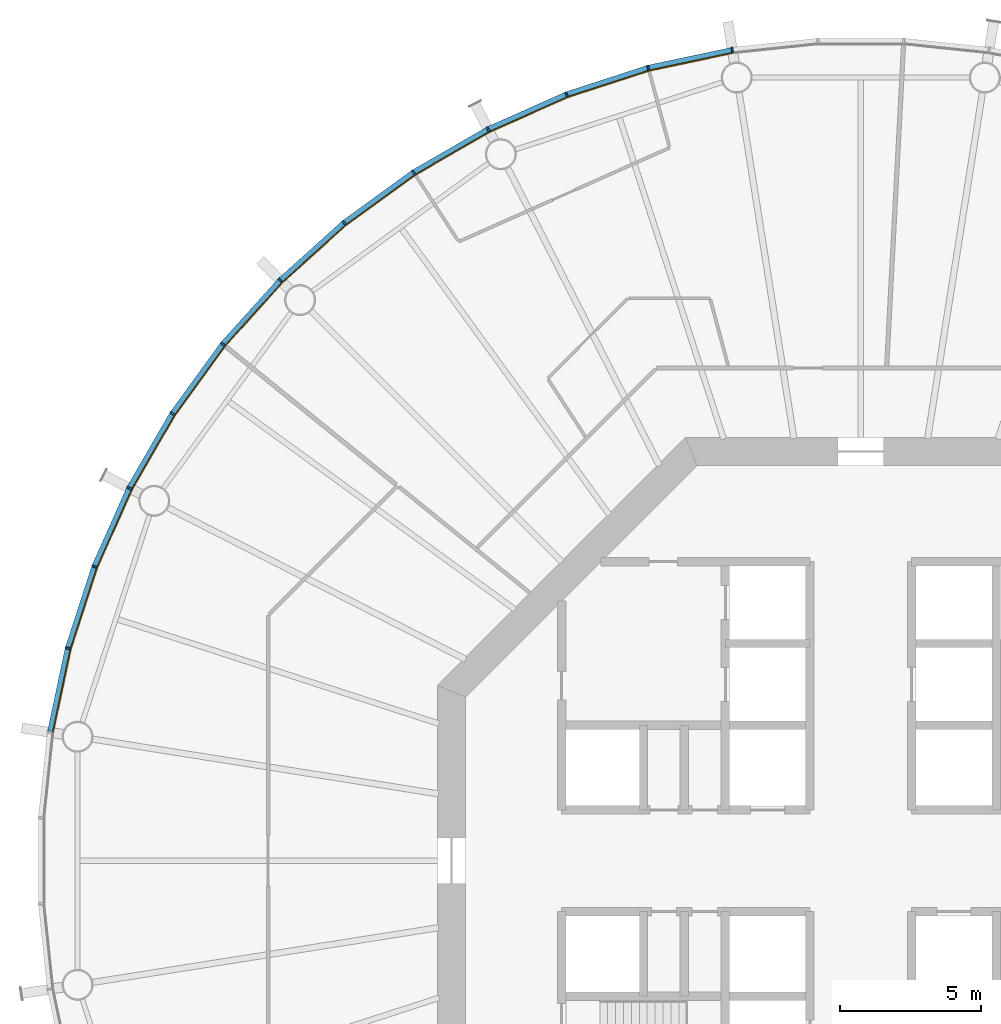
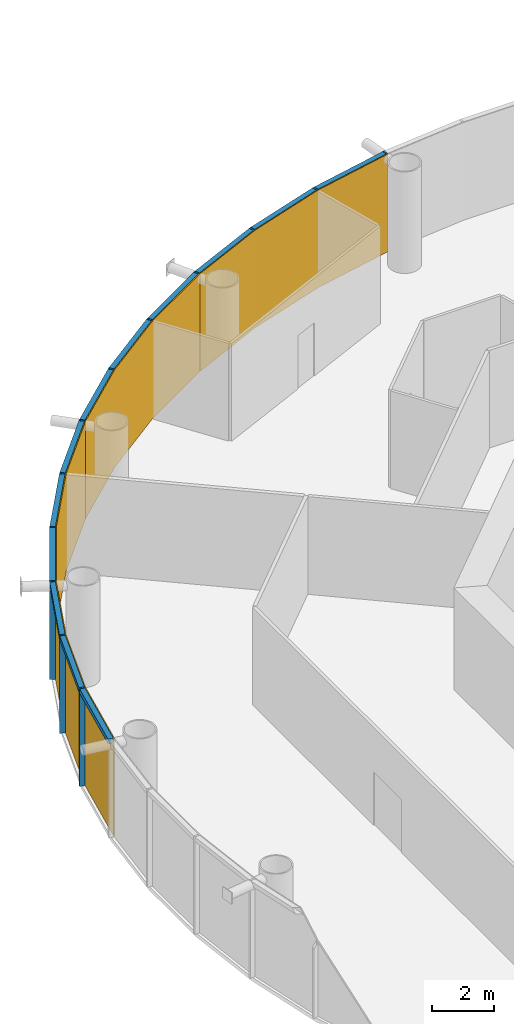
# One storey, part 14 of 17: 24 members, 4 curtain walls.
"""IFC4 building model written with IfcOpenShell, lengths in metres."""

from ifc_helpers import new_model, si_unit, direction, frame, origin, origin_2d, place, context, subcontext, project, spatial, polyline, rectangle, outline, extrude, material, layer, layer_set, material_profile, profile_set, type_object, element, aggregate, save


model = new_model("IFC4")

# Units and contexts
model_context = context("Model", 3, precision=1e-05, world=origin(), true_north=direction((0.0, 1.0)))
body_context = subcontext(model_context, "Body", "Model", "MODEL_VIEW")
ifc_project = project(units=[si_unit("LENGTHUNIT", "METRE"), si_unit("AREAUNIT", "SQUARE_METRE"), si_unit("VOLUMEUNIT", "CUBIC_METRE"), si_unit("PLANEANGLEUNIT", "RADIAN"), si_unit("MASSUNIT", "GRAM", prefix="KILO")], contexts=[model_context])

# Member
ifc_material_1 = material(Name="Anodised aluminium", Category="aluminium")
ifc_material_profile_1 = material_profile(ifc_material_1, rectangle(XDim=0.06494140625, YDim=0.18505859375, at=origin_2d()), Name="Mullion 65 x 185 mm anodised aluminium")
ifc_profile_set_1 = profile_set([ifc_material_profile_1], Name="Anodised aluminium")
member_type_1 = type_object("IfcMemberType", Name="Mullion 65 x 185 mm anodised aluminium", PredefinedType="MULLION", material=ifc_profile_set_1)
site_placement = place(None, origin())
building_placement = place(site_placement, origin())
storey_placement = place(building_placement, frame((0.0, 0.0, 160.0)))
member_1_placement = place(storey_placement, frame((85.448974609375, 108.734375, 0.0), z_axis=(0.0, 0.0, 1.0), x_axis=(-0.987688340595, -0.15643446504, 0.0)))
member_1 = element("IfcMember", 1, at=member_1_placement, type_object=member_type_1, Name="MULLION L36-15", PredefinedType="MULLION", context=body_context, shape_type="SweptSolid", body=[
    extrude(rectangle(XDim=0.06494140625, YDim=0.18505859375, at=origin_2d()), origin(), (0.0, 0.0, 1.0), 3.85009765625),
])

member_2_placement = place(storey_placement, frame((82.47021484375, 108.101318359375, 0.0), z_axis=(0.0, 0.0, 1.0), x_axis=(-0.965925826289, -0.258819045103, 0.0)))
member_2 = element("IfcMember", 2, at=member_2_placement, type_object=member_type_1, Name="MULLION L36-16", PredefinedType="MULLION", context=body_context, shape_type="SweptSolid", body=[
    extrude(rectangle(XDim=0.06494140625, YDim=0.18505859375, at=origin_2d()), origin(), (0.0, 0.0, 1.0), 3.85009765625),
])

member_3_placement = place(storey_placement, frame((79.57421875, 107.16015625, 0.0), z_axis=(0.0, 0.0, 1.0), x_axis=(-0.933580426497, -0.358367949545, 0.0)))
member_3 = element("IfcMember", 3, at=member_3_placement, type_object=member_type_1, Name="MULLION L36-17", PredefinedType="MULLION", context=body_context, shape_type="SweptSolid", body=[
    extrude(rectangle(XDim=0.06494140625, YDim=0.18505859375, at=origin_2d()), origin(), (0.0, 0.0, 1.0), 3.85009765625),
])

member_4_placement = place(storey_placement, frame((76.792236328125, 105.921630859375, 0.0), z_axis=(0.0, 0.0, 1.0), x_axis=(-0.891006524188, -0.45399049974, 0.0)))
member_4 = element("IfcMember", 4, at=member_4_placement, type_object=member_type_1, Name="MULLION L36-18", PredefinedType="MULLION", context=body_context, shape_type="SweptSolid", body=[
    extrude(rectangle(XDim=0.06494140625, YDim=0.18505859375, at=origin_2d()), origin(), (0.0, 0.0, 1.0), 3.85009765625),
])

member_5_placement = place(storey_placement, frame((74.155029296875, 104.39892578125, 0.0), z_axis=(0.0, 0.0, 1.0), x_axis=(-0.838670567945, -0.544639035015, 0.0)))
member_5 = element("IfcMember", 5, at=member_5_placement, type_object=member_type_1, Name="MULLION L36-19", PredefinedType="MULLION", context=body_context, shape_type="SweptSolid", body=[
    extrude(rectangle(XDim=0.06494140625, YDim=0.18505859375, at=origin_2d()), origin(), (0.0, 0.0, 1.0), 3.85009765625),
])

member_6_placement = place(storey_placement, frame((71.69140625, 102.609130859375, 0.0), z_axis=(0.0, 0.0, 1.0), x_axis=(-0.777145961457, -0.62932039105, 0.0)))
member_6 = element("IfcMember", 6, at=member_6_placement, type_object=member_type_1, Name="MULLION L36-20", PredefinedType="MULLION", context=body_context, shape_type="SweptSolid", body=[
    extrude(rectangle(XDim=0.06494140625, YDim=0.18505859375, at=origin_2d()), origin(), (0.0, 0.0, 1.0), 3.85009765625),
])

member_7_placement = place(storey_placement, frame((69.428466796875, 100.571533203125, 0.0), z_axis=(0.0, 0.0, 1.0), x_axis=(-0.707106781187, -0.707106781187, 0.0)))
member_7 = element("IfcMember", 7, at=member_7_placement, type_object=member_type_1, Name="MULLION L36-21", PredefinedType="MULLION", context=body_context, shape_type="SweptSolid", body=[
    extrude(rectangle(XDim=0.06494140625, YDim=0.18505859375, at=origin_2d()), origin(), (0.0, 0.0, 1.0), 3.85009765625),
])

member_8_placement = place(storey_placement, frame((67.390869140625, 98.30859375, 0.0), z_axis=(0.0, 0.0, 1.0), x_axis=(-0.62932039105, -0.777145961457, 0.0)))
member_8 = element("IfcMember", 8, at=member_8_placement, type_object=member_type_1, Name="MULLION L36-22", PredefinedType="MULLION", context=body_context, shape_type="SweptSolid", body=[
    extrude(rectangle(XDim=0.06494140625, YDim=0.18505859375, at=origin_2d()), origin(), (0.0, 0.0, 1.0), 3.85009765625),
])

member_9_placement = place(storey_placement, frame((65.60107421875, 95.844970703125, 0.0), z_axis=(0.0, 0.0, 1.0), x_axis=(-0.544639035015, -0.838670567945, 0.0)))
member_9 = element("IfcMember", 9, at=member_9_placement, type_object=member_type_1, Name="MULLION L36-23", PredefinedType="MULLION", context=body_context, shape_type="SweptSolid", body=[
    extrude(rectangle(XDim=0.06494140625, YDim=0.18505859375, at=origin_2d()), origin(), (0.0, 0.0, 1.0), 3.85009765625),
])

member_10_placement = place(storey_placement, frame((64.078369140625, 93.207763671875, 0.0), z_axis=(0.0, 0.0, 1.0), x_axis=(-0.45399049974, -0.891006524188, 0.0)))
member_10 = element("IfcMember", 10, at=member_10_placement, type_object=member_type_1, Name="MULLION L36-24", PredefinedType="MULLION", context=body_context, shape_type="SweptSolid", body=[
    extrude(rectangle(XDim=0.06494140625, YDim=0.18505859375, at=origin_2d()), origin(), (0.0, 0.0, 1.0), 3.85009765625),
])

member_11_placement = place(storey_placement, frame((62.83984375, 90.42578125, 0.0), z_axis=(0.0, 0.0, 1.0), x_axis=(-0.358367949545, -0.933580426497, 0.0)))
member_11 = element("IfcMember", 11, at=member_11_placement, type_object=member_type_1, Name="MULLION L36-25", PredefinedType="MULLION", context=body_context, shape_type="SweptSolid", body=[
    extrude(rectangle(XDim=0.06494140625, YDim=0.18505859375, at=origin_2d()), origin(), (0.0, 0.0, 1.0), 3.85009765625),
])

member_12_placement = place(storey_placement, frame((61.898681640625, 87.52978515625, 0.0), z_axis=(0.0, 0.0, 1.0), x_axis=(-0.258819045103, -0.965925826289, 0.0)))
member_12 = element("IfcMember", 12, at=member_12_placement, type_object=member_type_1, Name="MULLION L36-26", PredefinedType="MULLION", context=body_context, shape_type="SweptSolid", body=[
    extrude(rectangle(XDim=0.06494140625, YDim=0.18505859375, at=origin_2d()), origin(), (0.0, 0.0, 1.0), 3.85009765625),
])

ifc_material_2 = material(Name="Anodised aluminium", Category="aluminium")
ifc_material_profile_2 = material_profile(ifc_material_2, rectangle(XDim=0.18505859375, YDim=0.175048828125, at=origin_2d()), Name="Transom 175 x 185 mm anodised aluminium")
ifc_profile_set_2 = profile_set([ifc_material_profile_2], Name="Anodised aluminium")
member_type_2 = type_object("IfcMemberType", Name="Transom 175 x 185 mm anodised aluminium", PredefinedType="USERDEFINED", material=ifc_profile_set_2)
member_13_placement = place(storey_placement, frame((85.412353515625, 108.7265625, 3.762451171875), z_axis=(-0.97815822425, -0.207861704825, 0.0), x_axis=(0.207861704825, -0.97815822425, 0.0)))
member_13 = element("IfcMember", 13, at=member_13_placement, type_object=member_type_2, Name="TRANSOM L36-15", ObjectType="TRANSOM", PredefinedType="USERDEFINED", context=body_context, shape_type="SweptSolid", body=[
    extrude(rectangle(XDim=0.18505859375, YDim=0.175048828125, at=origin_2d()), origin(), (0.0, 0.0, 1.0), 2.970458984375),
])

member_14_placement = place(storey_placement, frame((82.434814453125, 108.08984375, 3.762451171875), z_axis=(-0.951055809184, -0.30901917063, 0.0), x_axis=(0.30901917063, -0.951055809184, 0.0)))
member_14 = element("IfcMember", 14, at=member_14_placement, type_object=member_type_2, Name="TRANSOM L36-16", ObjectType="TRANSOM", PredefinedType="USERDEFINED", context=body_context, shape_type="SweptSolid", body=[
    extrude(rectangle(XDim=0.18505859375, YDim=0.175048828125, at=origin_2d()), origin(), (0.0, 0.0, 1.0), 2.970703125),
])

member_15_placement = place(storey_placement, frame((79.5400390625, 107.14501953125, 3.762451171875), z_axis=(-0.913567348806, -0.406687471156, 0.0), x_axis=(0.406687471156, -0.913567348806, 0.0)))
member_15 = element("IfcMember", 15, at=member_15_placement, type_object=member_type_2, Name="TRANSOM L36-17", ObjectType="TRANSOM", PredefinedType="USERDEFINED", context=body_context, shape_type="SweptSolid", body=[
    extrude(rectangle(XDim=0.18505859375, YDim=0.175048828125, at=origin_2d()), origin(), (0.0, 0.0, 1.0), 2.970458984375),
])

member_16_placement = place(storey_placement, frame((76.759765625, 105.903076171875, 3.762451171875), z_axis=(-0.866009025146, -0.500028367561, 0.0), x_axis=(0.500028367561, -0.866009025146, 0.0)))
member_16 = element("IfcMember", 16, at=member_16_placement, type_object=member_type_2, Name="TRANSOM L36-18", ObjectType="TRANSOM", PredefinedType="USERDEFINED", context=body_context, shape_type="SweptSolid", body=[
    extrude(rectangle(XDim=0.18505859375, YDim=0.175048828125, at=origin_2d()), origin(), (0.0, 0.0, 1.0), 2.970458984375),
])

member_17_placement = place(storey_placement, frame((74.124755859375, 104.377197265625, 3.762451171875), z_axis=(-0.808991906087, -0.587819781808, 0.0), x_axis=(0.587819781808, -0.808991906087, 0.0)))
member_17 = element("IfcMember", 17, at=member_17_placement, type_object=member_type_2, Name="TRANSOM L36-19", ObjectType="TRANSOM", PredefinedType="USERDEFINED", context=body_context, shape_type="SweptSolid", body=[
    extrude(rectangle(XDim=0.18505859375, YDim=0.175048828125, at=origin_2d()), origin(), (0.0, 0.0, 1.0), 2.970458984375),
])

member_18_placement = place(storey_placement, frame((71.66357421875, 102.584228515625, 3.762451171875), z_axis=(-0.743163354343, -0.669110027395, 0.0), x_axis=(0.669110027395, -0.743163354343, 0.0)))
member_18 = element("IfcMember", 18, at=member_18_placement, type_object=member_type_2, Name="TRANSOM L36-20", ObjectType="TRANSOM", PredefinedType="USERDEFINED", context=body_context, shape_type="SweptSolid", body=[
    extrude(rectangle(XDim=0.18505859375, YDim=0.175048828125, at=origin_2d()), origin(), (0.0, 0.0, 1.0), 2.970458984375),
])

member_19_placement = place(storey_placement, frame((69.4033203125, 100.5439453125, 3.762451171875), z_axis=(-0.669110027395, -0.743163354343, 0.0), x_axis=(0.743163354343, -0.669110027395, 0.0)))
member_19 = element("IfcMember", 19, at=member_19_placement, type_object=member_type_2, Name="TRANSOM L36-21", ObjectType="TRANSOM", PredefinedType="USERDEFINED", context=body_context, shape_type="SweptSolid", body=[
    extrude(rectangle(XDim=0.18505859375, YDim=0.175048828125, at=origin_2d()), origin(), (0.0, 0.0, 1.0), 2.970458984375),
])

member_20_placement = place(storey_placement, frame((67.368896484375, 98.2783203125, 3.762451171875), z_axis=(-0.587819781808, -0.808991906087, 0.0), x_axis=(0.808991906087, -0.587819781808, 0.0)))
member_20 = element("IfcMember", 20, at=member_20_placement, type_object=member_type_2, Name="TRANSOM L36-22", ObjectType="TRANSOM", PredefinedType="USERDEFINED", context=body_context, shape_type="SweptSolid", body=[
    extrude(rectangle(XDim=0.18505859375, YDim=0.175048828125, at=origin_2d()), origin(), (0.0, 0.0, 1.0), 2.970458984375),
])

member_21_placement = place(storey_placement, frame((65.582275390625, 95.812744140625, 3.762451171875), z_axis=(-0.500028367561, -0.866009025146, 0.0), x_axis=(0.866009025146, -0.500028367561, 0.0)))
member_21 = element("IfcMember", 21, at=member_21_placement, type_object=member_type_2, Name="TRANSOM L36-23", ObjectType="TRANSOM", PredefinedType="USERDEFINED", context=body_context, shape_type="SweptSolid", body=[
    extrude(rectangle(XDim=0.18505859375, YDim=0.175048828125, at=origin_2d()), origin(), (0.0, 0.0, 1.0), 2.970458984375),
])

member_22_placement = place(storey_placement, frame((64.06298828125, 93.173583984375, 3.762451171875), z_axis=(-0.406687471156, -0.913567348806, 0.0), x_axis=(0.913567348806, -0.406687471156, 0.0)))
member_22 = element("IfcMember", 22, at=member_22_placement, type_object=member_type_2, Name="TRANSOM L36-24", ObjectType="TRANSOM", PredefinedType="USERDEFINED", context=body_context, shape_type="SweptSolid", body=[
    extrude(rectangle(XDim=0.18505859375, YDim=0.175048828125, at=origin_2d()), origin(), (0.0, 0.0, 1.0), 2.970458984375),
])

member_23_placement = place(storey_placement, frame((62.828125, 90.390380859375, 3.762451171875), z_axis=(-0.30901917063, -0.951055809184, 0.0), x_axis=(0.951055809184, -0.30901917063, 0.0)))
member_23 = element("IfcMember", 23, at=member_23_placement, type_object=member_type_2, Name="TRANSOM L36-25", ObjectType="TRANSOM", PredefinedType="USERDEFINED", context=body_context, shape_type="SweptSolid", body=[
    extrude(rectangle(XDim=0.18505859375, YDim=0.175048828125, at=origin_2d()), origin(), (0.0, 0.0, 1.0), 2.970703125),
])

member_24_placement = place(storey_placement, frame((61.890869140625, 87.4931640625, 3.762451171875), z_axis=(-0.207861704825, -0.97815822425, 0.0), x_axis=(0.97815822425, -0.207861704825, 0.0)))
member_24 = element("IfcMember", 24, at=member_24_placement, type_object=member_type_2, Name="TRANSOM L36-26", ObjectType="TRANSOM", PredefinedType="USERDEFINED", context=body_context, shape_type="SweptSolid", body=[
    extrude(rectangle(XDim=0.18505859375, YDim=0.175048828125, at=origin_2d()), origin(), (0.0, 0.0, 1.0), 2.970458984375),
])

# Site, building, storey
site = spatial("IfcSite", under=ifc_project, at=site_placement, CompositionType="ELEMENT")
building = spatial("IfcBuilding", under=site, at=building_placement, Name="Entoto Ring Tower", CompositionType="ELEMENT")
storey = spatial("IfcBuildingStorey", under=building, at=storey_placement, Name="L36", CompositionType="ELEMENT", Elevation=160.0)

# Curtain wall
ifc_material_3 = material(Name="Clear low-iron glass", Category="glass")
ifc_layer = layer(ifc_material_3, 0.033935546875)
ifc_layer_set = layer_set([ifc_layer], Name="Clear low-iron glass")
curtain_wall_type = type_object("IfcCurtainWallType", Name="Curtain wall system CW3 glazing 34 mm", PredefinedType="NOTDEFINED", material=ifc_layer_set)
curtain_wall_1_placement = place(storey_placement, origin())
curtain_wall_1 = element("IfcCurtainWall", 25, at=curtain_wall_1_placement, inside=storey, type_object=curtain_wall_type, Name="CW3 L36-06", PredefinedType="NOTDEFINED", context=body_context, shape_type="SweptSolid", body=[
    extrude(outline(polyline([(85.46337890625, 108.64306640625), (82.494140625, 108.011962890625), (79.607421875, 107.07373046875), (76.834228515625, 105.839111328125), (76.849853515625, 105.808837890625), (79.61962890625, 107.0419921875), (82.503173828125, 107.97900390625), (85.46875, 108.609375), (85.46337890625, 108.64306640625)])), origin(), (0.0, 0.0, 1.0), 3.85009765625),
])

aggregate(curtain_wall_1, [member_1, member_2, member_3, member_13, member_14, member_15])

curtain_wall_2_placement = place(storey_placement, origin())
curtain_wall_2 = element("IfcCurtainWall", 26, at=curtain_wall_2_placement, inside=storey, type_object=curtain_wall_type, Name="CW3 L36-07", PredefinedType="NOTDEFINED", context=body_context, shape_type="SweptSolid", body=[
    extrude(outline(polyline([(76.834228515625, 105.839111328125), (74.20556640625, 104.321533203125), (71.749755859375, 102.537353515625), (69.493896484375, 100.506103515625), (69.51806640625, 100.48193359375), (71.771240234375, 102.5107421875), (74.22412109375, 104.29296875), (76.849853515625, 105.808837890625), (76.834228515625, 105.839111328125)])), origin(), (0.0, 0.0, 1.0), 3.85009765625),
])

aggregate(curtain_wall_2, [member_4, member_5, member_6, member_16, member_17, member_18])

curtain_wall_3_placement = place(storey_placement, origin())
curtain_wall_3 = element("IfcCurtainWall", 27, at=curtain_wall_3_placement, inside=storey, type_object=curtain_wall_type, Name="CW3 L36-08", PredefinedType="NOTDEFINED", context=body_context, shape_type="SweptSolid", body=[
    extrude(outline(polyline([(69.493896484375, 100.506103515625), (67.462646484375, 98.250244140625), (65.678466796875, 95.79443359375), (64.160888671875, 93.165771484375), (64.191162109375, 93.150146484375), (65.70703125, 95.77587890625), (67.4892578125, 98.228759765625), (69.51806640625, 100.48193359375), (69.493896484375, 100.506103515625)])), origin(), (0.0, 0.0, 1.0), 3.85009765625),
])

aggregate(curtain_wall_3, [member_7, member_8, member_9, member_19, member_20, member_21])

curtain_wall_4_placement = place(storey_placement, origin())
curtain_wall_4 = element("IfcCurtainWall", 28, at=curtain_wall_4_placement, inside=storey, type_object=curtain_wall_type, Name="CW3 L36-09", PredefinedType="NOTDEFINED", context=body_context, shape_type="SweptSolid", body=[
    extrude(outline(polyline([(64.160888671875, 93.165771484375), (62.92626953125, 90.392578125), (61.988037109375, 87.505859375), (61.35693359375, 84.53662109375), (61.390625, 84.53125), (62.02099609375, 87.496826171875), (62.9580078125, 90.38037109375), (64.191162109375, 93.150146484375), (64.160888671875, 93.165771484375)])), origin(), (0.0, 0.0, 1.0), 3.85009765625),
])

aggregate(curtain_wall_4, [member_10, member_11, member_12, member_22, member_23, member_24])

save(model, "model.ifc")
